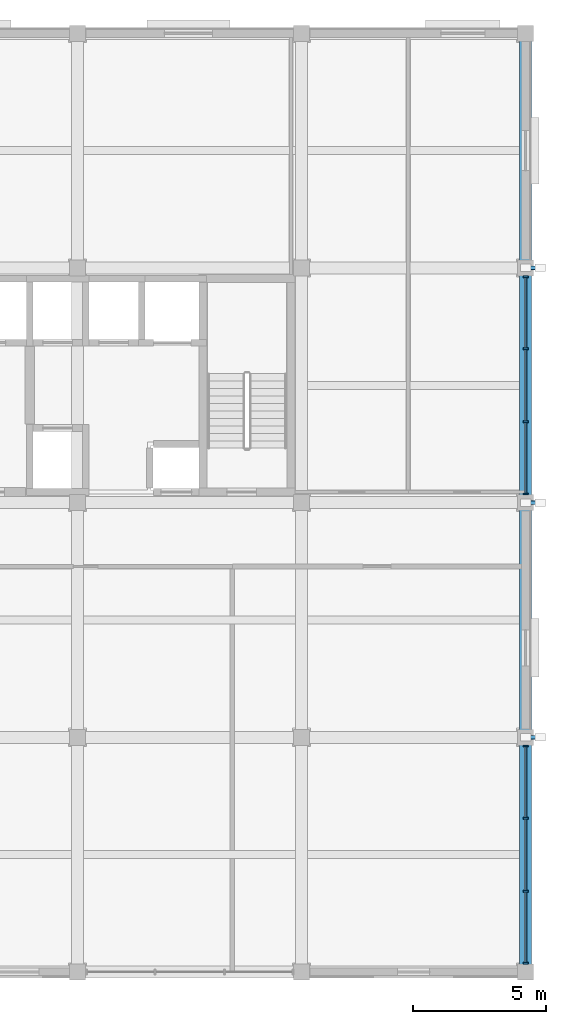
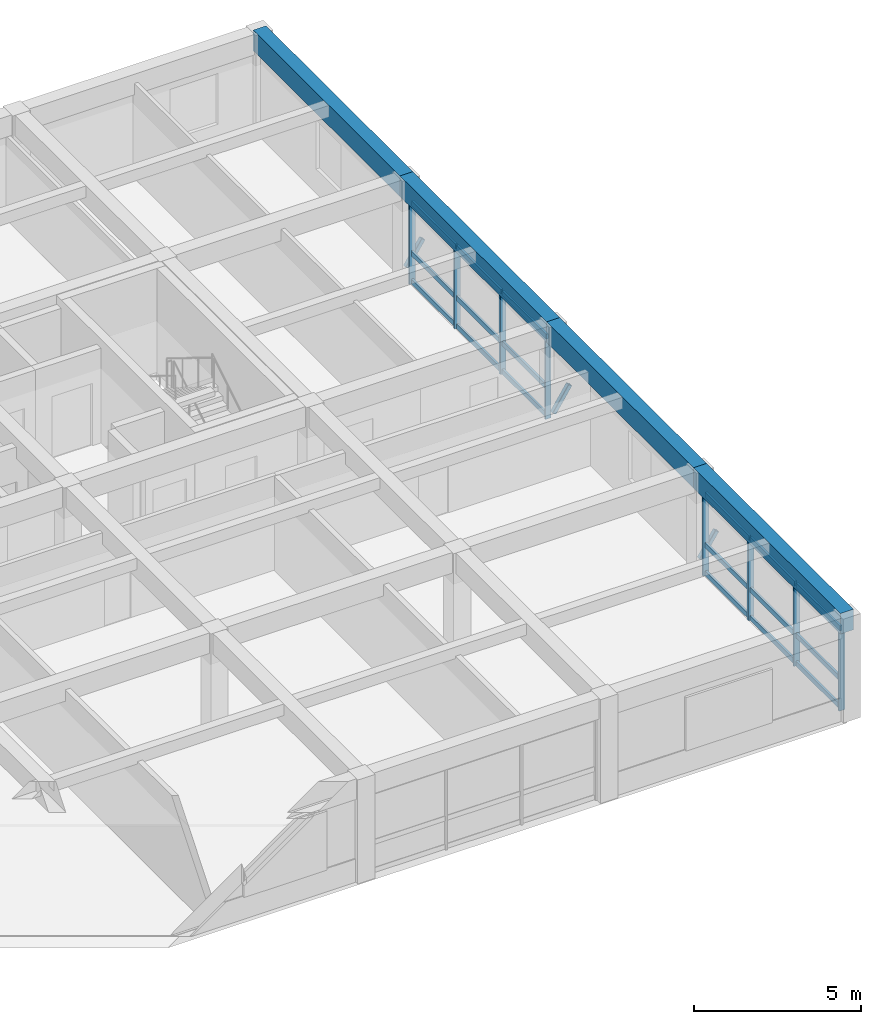
# One storey, part 4 of 12: 29 members, 4 beams, 2 elements without a shape of their own.
"""IFC4 building model written with IfcOpenShell, lengths in metres."""

from ifc_helpers import new_model, si_unit, direction, frame, origin, origin_2d, place, context, subcontext, project, spatial, rectangle, hollow_rectangle, extrude, material, material_profile, profile_set, type_object, element, aggregate, save


model = new_model("IFC4")

# Units and contexts
model_context = context("Model", 3, precision=1e-05, world=origin(), true_north=direction((0.0, 1.0)))
body_context = subcontext(model_context, "Body", "Model", "MODEL_VIEW")
ifc_project = project(units=[si_unit("LENGTHUNIT", "METRE"), si_unit("AREAUNIT", "SQUARE_METRE"), si_unit("VOLUMEUNIT", "CUBIC_METRE"), si_unit("PLANEANGLEUNIT", "RADIAN"), si_unit("MASSUNIT", "GRAM", prefix="KILO")], contexts=[model_context])

# Site, building, storey
site_placement = place(None, origin())
site = spatial("IfcSite", under=ifc_project, at=site_placement, CompositionType="ELEMENT")
building_placement = place(site_placement, origin())
building = spatial("IfcBuilding", under=site, at=building_placement, Name="Kemercrest Conservatory and Botanical Centre", CompositionType="ELEMENT")
storey_placement = place(building_placement, frame((0.0, 0.0, 52.199951171875)))
storey = spatial("IfcBuildingStorey", under=building, at=storey_placement, Name="L13", CompositionType="ELEMENT", Elevation=52.199951171875)

# Members
ifc_material_1 = material(Name="Steel CSA G40.21 350W", Category="steel")
ifc_material_profile_1 = material_profile(ifc_material_1, hollow_rectangle(XDim=0.15234375, YDim=0.15234375, WallThickness=0.009521484375, InnerFilletRadius=0.009521484375, OuterFilletRadius=0.01904296875, at=origin_2d()), Name="HSS 152x152x9.5")
ifc_profile_set_1 = profile_set([ifc_material_profile_1], Name="Steel CSA G40.21 350W")
member_type_1 = type_object("IfcMemberType", Name="BR-CUM152", PredefinedType="BRACE", material=ifc_profile_set_1)
for number, where, z_axis, x_axis, name in (
    (1, (176.0, 96.0, 0.400146484375), (0.543351270749, 0.0, 0.839505447615), (0.0, 1.0, 0.0), "Tower cumba projecting bay knee brace strut L13-1"),
    (2, (176.0, 104.800048828125, 0.400146484375), (0.543351270749, 0.0, 0.839505447615), (0.0, 1.0, 0.0), "Tower cumba projecting bay knee brace strut L13-2"),
    (3, (176.0, 113.60009765625, 0.400146484375), (0.543351270749, 0.0, 0.839505447615), (0.0, 1.0, 0.0), "Tower cumba projecting bay knee brace strut L13-3"),
):
    element("IfcMember", number, at=place(storey_placement, frame(where, z_axis=z_axis, x_axis=x_axis)), inside=storey, type_object=member_type_1, Name=name, PredefinedType="BRACE", context=body_context, shape_type="SweptSolid", body=[
        extrude(hollow_rectangle(XDim=0.15234375, YDim=0.15234375, WallThickness=0.009521484375, InnerFilletRadius=0.009521484375, OuterFilletRadius=0.01904296875, at=origin_2d()), origin(), (0.0, 0.0, 1.0), 1.01220703125),
    ])

# Curtain wall, members
ifc_material_2 = material(Name="Thermally broken aluminium and triple low-e glazing", Category="aluminium")
curtain_wall_type_1 = type_object("IfcCurtainWallType", Name="CW-16", PredefinedType="USERDEFINED", material=ifc_material_2)
curtain_wall_1_placement = place(storey_placement, origin())
curtain_wall_1 = element("IfcCurtainWall", 4, at=curtain_wall_1_placement, inside=storey, type_object=curtain_wall_type_1, Name="Unitised curtain wall CW-16 (CW:L13:V4-135)", ObjectType="UNITISED CURTAIN WALL", PredefinedType="USERDEFINED")
ifc_material_3 = material(Name="Thermally broken anodized aluminium 6063-T6", Category="aluminium")
ifc_material_profile_2 = material_profile(ifc_material_3, rectangle(XDim=0.199951171875, YDim=0.06494140625, at=origin_2d()), Name="AL MULLION 65x200")
ifc_profile_set_2 = profile_set([ifc_material_profile_2], Name="Thermally broken anodized aluminium 6063-T6")
member_type_2 = type_object("IfcMemberType", Name="CW-M200", PredefinedType="MULLION", material=ifc_profile_set_2)
member_1_placement = place(storey_placement, frame((176.0, 87.527587890625, 0.0), z_axis=(0.0, 0.0, 1.0), x_axis=(-1.0, 0.0, 0.0)))
member_1 = element("IfcMember", 5, at=member_1_placement, type_object=member_type_2, Name="CW-16 mullion 1", PredefinedType="MULLION", context=body_context, shape_type="SweptSolid", body=[
    extrude(rectangle(XDim=0.199951171875, YDim=0.06494140625, at=origin_2d()), origin(), (0.0, 0.0, 1.0), 3.054931640625),
])
member_2_placement = place(storey_placement, frame((176.0, 90.231689453125, 0.0), z_axis=(0.0, 0.0, 1.0), x_axis=(-1.0, 0.0, 0.0)))
member_2 = element("IfcMember", 6, at=member_2_placement, type_object=member_type_2, Name="CW-16 mullion 2", PredefinedType="MULLION", context=body_context, shape_type="SweptSolid", body=[
    extrude(rectangle(XDim=0.199951171875, YDim=0.06494140625, at=origin_2d()), origin(), (0.0, 0.0, 1.0), 3.054931640625),
])
member_3_placement = place(storey_placement, frame((176.0, 92.96826171875, 0.0), z_axis=(0.0, 0.0, 1.0), x_axis=(-1.0, 0.0, 0.0)))
member_3 = element("IfcMember", 7, at=member_3_placement, type_object=member_type_2, Name="CW-16 mullion 3", PredefinedType="MULLION", context=body_context, shape_type="SweptSolid", body=[
    extrude(rectangle(XDim=0.199951171875, YDim=0.06494140625, at=origin_2d()), origin(), (0.0, 0.0, 1.0), 3.054931640625),
])
member_4_placement = place(storey_placement, frame((176.0, 95.672607421875, 0.0), z_axis=(0.0, 0.0, 1.0), x_axis=(-1.0, 0.0, 0.0)))
member_4 = element("IfcMember", 8, at=member_4_placement, type_object=member_type_2, Name="CW-16 mullion 4", PredefinedType="MULLION", context=body_context, shape_type="SweptSolid", body=[
    extrude(rectangle(XDim=0.199951171875, YDim=0.06494140625, at=origin_2d()), origin(), (0.0, 0.0, 1.0), 3.054931640625),
])

curtain_wall_type_2 = type_object("IfcCurtainWallType", Name="CW-17", PredefinedType="USERDEFINED", material=ifc_material_2)
curtain_wall_2_placement = place(storey_placement, origin())
curtain_wall_2 = element("IfcCurtainWall", 9, at=curtain_wall_2_placement, inside=storey, type_object=curtain_wall_type_2, Name="Unitised curtain wall CW-17 (CW:L13:V4-136)", ObjectType="UNITISED CURTAIN WALL", PredefinedType="USERDEFINED")
member_5_placement = place(storey_placement, frame((176.0, 105.12744140625, 0.0), z_axis=(0.0, 0.0, 1.0), x_axis=(-1.0, 0.0, 0.0)))
member_5 = element("IfcMember", 10, at=member_5_placement, type_object=member_type_2, Name="CW-17 mullion 1", PredefinedType="MULLION", context=body_context, shape_type="SweptSolid", body=[
    extrude(rectangle(XDim=0.199951171875, YDim=0.06494140625, at=origin_2d()), origin(), (0.0, 0.0, 1.0), 3.054931640625),
])
member_6_placement = place(storey_placement, frame((176.0, 107.831787109375, 0.0), z_axis=(0.0, 0.0, 1.0), x_axis=(-1.0, 0.0, 0.0)))
member_6 = element("IfcMember", 11, at=member_6_placement, type_object=member_type_2, Name="CW-17 mullion 2", PredefinedType="MULLION", context=body_context, shape_type="SweptSolid", body=[
    extrude(rectangle(XDim=0.199951171875, YDim=0.06494140625, at=origin_2d()), origin(), (0.0, 0.0, 1.0), 3.054931640625),
])
member_7_placement = place(storey_placement, frame((176.0, 110.568359375, 0.0), z_axis=(0.0, 0.0, 1.0), x_axis=(-1.0, 0.0, 0.0)))
member_7 = element("IfcMember", 12, at=member_7_placement, type_object=member_type_2, Name="CW-17 mullion 3", PredefinedType="MULLION", context=body_context, shape_type="SweptSolid", body=[
    extrude(rectangle(XDim=0.199951171875, YDim=0.06494140625, at=origin_2d()), origin(), (0.0, 0.0, 1.0), 3.054931640625),
])
member_8_placement = place(storey_placement, frame((176.0, 113.2724609375, 0.0), z_axis=(0.0, 0.0, 1.0), x_axis=(-1.0, 0.0, 0.0)))
member_8 = element("IfcMember", 13, at=member_8_placement, type_object=member_type_2, Name="CW-17 mullion 4", PredefinedType="MULLION", context=body_context, shape_type="SweptSolid", body=[
    extrude(rectangle(XDim=0.199951171875, YDim=0.06494140625, at=origin_2d()), origin(), (0.0, 0.0, 1.0), 3.054931640625),
])

# Member
ifc_material_profile_3 = material_profile(ifc_material_3, rectangle(XDim=0.074951171875, YDim=0.179931640625, at=origin_2d()), Name="AL TRANSOM 75x180")
ifc_profile_set_3 = profile_set([ifc_material_profile_3], Name="Thermally broken anodized aluminium 6063-T6")
member_type_3 = type_object("IfcMemberType", Name="CW-T180", PredefinedType="USERDEFINED", material=ifc_profile_set_3)
member_9_placement = place(storey_placement, frame((176.0, 87.56005859375, 0.090087890625), z_axis=(0.0, 1.0, 0.0), x_axis=(-1.0, 0.0, 0.0)))
member_9 = element("IfcMember", 14, at=member_9_placement, type_object=member_type_3, Name="CW-16 transom 1.1", ObjectType="TRANSOM", PredefinedType="USERDEFINED", context=body_context, shape_type="SweptSolid", body=[
    extrude(rectangle(XDim=0.074951171875, YDim=0.179931640625, at=origin_2d()), origin(), (0.0, 0.0, 1.0), 2.63916015625),
])

member_10_placement = place(storey_placement, frame((176.0, 87.56005859375, 1.1201171875), z_axis=(0.0, 1.0, 0.0), x_axis=(-1.0, 0.0, 0.0)))
member_10 = element("IfcMember", 15, at=member_10_placement, type_object=member_type_3, Name="CW-16 transom 1.2", ObjectType="TRANSOM", PredefinedType="USERDEFINED", context=body_context, shape_type="SweptSolid", body=[
    extrude(rectangle(XDim=0.074951171875, YDim=0.179931640625, at=origin_2d()), origin(), (0.0, 0.0, 1.0), 2.63916015625),
])

member_11_placement = place(storey_placement, frame((176.0, 87.56005859375, 2.965087890625), z_axis=(0.0, 1.0, 0.0), x_axis=(-1.0, 0.0, 0.0)))
member_11 = element("IfcMember", 16, at=member_11_placement, type_object=member_type_3, Name="CW-16 transom 1.3", ObjectType="TRANSOM", PredefinedType="USERDEFINED", context=body_context, shape_type="SweptSolid", body=[
    extrude(rectangle(XDim=0.074951171875, YDim=0.179931640625, at=origin_2d()), origin(), (0.0, 0.0, 1.0), 2.63916015625),
])

member_12_placement = place(storey_placement, frame((176.0, 90.26416015625, 0.090087890625), z_axis=(0.0, 1.0, 0.0), x_axis=(-1.0, 0.0, 0.0)))
member_12 = element("IfcMember", 17, at=member_12_placement, type_object=member_type_3, Name="CW-16 transom 2.1", ObjectType="TRANSOM", PredefinedType="USERDEFINED", context=body_context, shape_type="SweptSolid", body=[
    extrude(rectangle(XDim=0.074951171875, YDim=0.179931640625, at=origin_2d()), origin(), (0.0, 0.0, 1.0), 2.671630859375),
])

member_13_placement = place(storey_placement, frame((176.0, 90.26416015625, 1.1201171875), z_axis=(0.0, 1.0, 0.0), x_axis=(-1.0, 0.0, 0.0)))
member_13 = element("IfcMember", 18, at=member_13_placement, type_object=member_type_3, Name="CW-16 transom 2.2", ObjectType="TRANSOM", PredefinedType="USERDEFINED", context=body_context, shape_type="SweptSolid", body=[
    extrude(rectangle(XDim=0.074951171875, YDim=0.179931640625, at=origin_2d()), origin(), (0.0, 0.0, 1.0), 2.671630859375),
])

member_14_placement = place(storey_placement, frame((176.0, 90.26416015625, 2.965087890625), z_axis=(0.0, 1.0, 0.0), x_axis=(-1.0, 0.0, 0.0)))
member_14 = element("IfcMember", 19, at=member_14_placement, type_object=member_type_3, Name="CW-16 transom 2.3", ObjectType="TRANSOM", PredefinedType="USERDEFINED", context=body_context, shape_type="SweptSolid", body=[
    extrude(rectangle(XDim=0.074951171875, YDim=0.179931640625, at=origin_2d()), origin(), (0.0, 0.0, 1.0), 2.671630859375),
])

member_15_placement = place(storey_placement, frame((176.0, 93.000732421875, 0.090087890625), z_axis=(0.0, 1.0, 0.0), x_axis=(-1.0, 0.0, 0.0)))
member_15 = element("IfcMember", 20, at=member_15_placement, type_object=member_type_3, Name="CW-16 transom 3.1", ObjectType="TRANSOM", PredefinedType="USERDEFINED", context=body_context, shape_type="SweptSolid", body=[
    extrude(rectangle(XDim=0.074951171875, YDim=0.179931640625, at=origin_2d()), origin(), (0.0, 0.0, 1.0), 2.63916015625),
])

member_16_placement = place(storey_placement, frame((176.0, 93.000732421875, 1.1201171875), z_axis=(0.0, 1.0, 0.0), x_axis=(-1.0, 0.0, 0.0)))
member_16 = element("IfcMember", 21, at=member_16_placement, type_object=member_type_3, Name="CW-16 transom 3.2", ObjectType="TRANSOM", PredefinedType="USERDEFINED", context=body_context, shape_type="SweptSolid", body=[
    extrude(rectangle(XDim=0.074951171875, YDim=0.179931640625, at=origin_2d()), origin(), (0.0, 0.0, 1.0), 2.63916015625),
])

member_17_placement = place(storey_placement, frame((176.0, 93.000732421875, 2.965087890625), z_axis=(0.0, 1.0, 0.0), x_axis=(-1.0, 0.0, 0.0)))
member_17 = element("IfcMember", 22, at=member_17_placement, type_object=member_type_3, Name="CW-16 transom 3.3", ObjectType="TRANSOM", PredefinedType="USERDEFINED", context=body_context, shape_type="SweptSolid", body=[
    extrude(rectangle(XDim=0.074951171875, YDim=0.179931640625, at=origin_2d()), origin(), (0.0, 0.0, 1.0), 2.63916015625),
])

aggregate(curtain_wall_1, [member_1, member_2, member_3, member_4, member_9, member_10, member_11, member_12, member_13, member_14, member_15, member_16, member_17])

member_18_placement = place(storey_placement, frame((176.0, 105.159912109375, 0.090087890625), z_axis=(0.0, 1.0, 0.0), x_axis=(-1.0, 0.0, 0.0)))
member_18 = element("IfcMember", 23, at=member_18_placement, type_object=member_type_3, Name="CW-17 transom 1.1", ObjectType="TRANSOM", PredefinedType="USERDEFINED", context=body_context, shape_type="SweptSolid", body=[
    extrude(rectangle(XDim=0.074951171875, YDim=0.179931640625, at=origin_2d()), origin(), (0.0, 0.0, 1.0), 2.63916015625),
])

member_19_placement = place(storey_placement, frame((176.0, 105.159912109375, 1.1201171875), z_axis=(0.0, 1.0, 0.0), x_axis=(-1.0, 0.0, 0.0)))
member_19 = element("IfcMember", 24, at=member_19_placement, type_object=member_type_3, Name="CW-17 transom 1.2", ObjectType="TRANSOM", PredefinedType="USERDEFINED", context=body_context, shape_type="SweptSolid", body=[
    extrude(rectangle(XDim=0.074951171875, YDim=0.179931640625, at=origin_2d()), origin(), (0.0, 0.0, 1.0), 2.63916015625),
])

member_20_placement = place(storey_placement, frame((176.0, 105.159912109375, 2.965087890625), z_axis=(0.0, 1.0, 0.0), x_axis=(-1.0, 0.0, 0.0)))
member_20 = element("IfcMember", 25, at=member_20_placement, type_object=member_type_3, Name="CW-17 transom 1.3", ObjectType="TRANSOM", PredefinedType="USERDEFINED", context=body_context, shape_type="SweptSolid", body=[
    extrude(rectangle(XDim=0.074951171875, YDim=0.179931640625, at=origin_2d()), origin(), (0.0, 0.0, 1.0), 2.63916015625),
])

member_21_placement = place(storey_placement, frame((176.0, 107.8642578125, 0.090087890625), z_axis=(0.0, 1.0, 0.0), x_axis=(-1.0, 0.0, 0.0)))
member_21 = element("IfcMember", 26, at=member_21_placement, type_object=member_type_3, Name="CW-17 transom 2.1", ObjectType="TRANSOM", PredefinedType="USERDEFINED", context=body_context, shape_type="SweptSolid", body=[
    extrude(rectangle(XDim=0.074951171875, YDim=0.179931640625, at=origin_2d()), origin(), (0.0, 0.0, 1.0), 2.671630859375),
])

member_22_placement = place(storey_placement, frame((176.0, 107.8642578125, 1.1201171875), z_axis=(0.0, 1.0, 0.0), x_axis=(-1.0, 0.0, 0.0)))
member_22 = element("IfcMember", 27, at=member_22_placement, type_object=member_type_3, Name="CW-17 transom 2.2", ObjectType="TRANSOM", PredefinedType="USERDEFINED", context=body_context, shape_type="SweptSolid", body=[
    extrude(rectangle(XDim=0.074951171875, YDim=0.179931640625, at=origin_2d()), origin(), (0.0, 0.0, 1.0), 2.671630859375),
])

member_23_placement = place(storey_placement, frame((176.0, 107.8642578125, 2.965087890625), z_axis=(0.0, 1.0, 0.0), x_axis=(-1.0, 0.0, 0.0)))
member_23 = element("IfcMember", 28, at=member_23_placement, type_object=member_type_3, Name="CW-17 transom 2.3", ObjectType="TRANSOM", PredefinedType="USERDEFINED", context=body_context, shape_type="SweptSolid", body=[
    extrude(rectangle(XDim=0.074951171875, YDim=0.179931640625, at=origin_2d()), origin(), (0.0, 0.0, 1.0), 2.671630859375),
])

member_24_placement = place(storey_placement, frame((176.0, 110.600830078125, 0.090087890625), z_axis=(0.0, 1.0, 0.0), x_axis=(-1.0, 0.0, 0.0)))
member_24 = element("IfcMember", 29, at=member_24_placement, type_object=member_type_3, Name="CW-17 transom 3.1", ObjectType="TRANSOM", PredefinedType="USERDEFINED", context=body_context, shape_type="SweptSolid", body=[
    extrude(rectangle(XDim=0.074951171875, YDim=0.179931640625, at=origin_2d()), origin(), (0.0, 0.0, 1.0), 2.63916015625),
])

member_25_placement = place(storey_placement, frame((176.0, 110.600830078125, 1.1201171875), z_axis=(0.0, 1.0, 0.0), x_axis=(-1.0, 0.0, 0.0)))
member_25 = element("IfcMember", 30, at=member_25_placement, type_object=member_type_3, Name="CW-17 transom 3.2", ObjectType="TRANSOM", PredefinedType="USERDEFINED", context=body_context, shape_type="SweptSolid", body=[
    extrude(rectangle(XDim=0.074951171875, YDim=0.179931640625, at=origin_2d()), origin(), (0.0, 0.0, 1.0), 2.63916015625),
])

member_26_placement = place(storey_placement, frame((176.0, 110.600830078125, 2.965087890625), z_axis=(0.0, 1.0, 0.0), x_axis=(-1.0, 0.0, 0.0)))
member_26 = element("IfcMember", 31, at=member_26_placement, type_object=member_type_3, Name="CW-17 transom 3.3", ObjectType="TRANSOM", PredefinedType="USERDEFINED", context=body_context, shape_type="SweptSolid", body=[
    extrude(rectangle(XDim=0.074951171875, YDim=0.179931640625, at=origin_2d()), origin(), (0.0, 0.0, 1.0), 2.63916015625),
])

aggregate(curtain_wall_2, [member_5, member_6, member_7, member_8, member_18, member_19, member_20, member_21, member_22, member_23, member_24, member_25, member_26])

# Beams
ifc_material_4 = material(Name="Concrete C40/50", Category="concrete")
ifc_material_profile_4 = material_profile(ifc_material_4, rectangle(XDim=0.449951171875, YDim=0.75, at=origin_2d()), Name="RC 450x750")
ifc_profile_set_4 = profile_set([ifc_material_profile_4], Name="Concrete C40/50")
beam_type = type_object("IfcBeamType", Name="SP-RC75", PredefinedType="SPANDREL", material=ifc_profile_set_4)
for number, where, z_axis, x_axis, name in (
    (32, (176.0, 87.199951171875, 3.425048828125), (0.0, 1.0, 0.0), (-1.0, 0.0, 0.0), "V4-L14 beam SP-RC75 21/K-L"),
    (33, (176.0, 96.0, 3.425048828125), (0.0, 1.0, 0.0), (-1.0, 0.0, 0.0), "V4-L14 beam SP-RC75 21/L-M"),
    (34, (176.0, 104.800048828125, 3.425048828125), (0.0, 1.0, 0.0), (-1.0, 0.0, 0.0), "V4-L14 beam SP-RC75 21/M-N"),
):
    element("IfcBeam", number, at=place(storey_placement, frame(where, z_axis=z_axis, x_axis=x_axis)), inside=storey, type_object=beam_type, Name=name, PredefinedType="SPANDREL", context=body_context, shape_type="SweptSolid", body=[
        extrude(rectangle(XDim=0.449951171875, YDim=0.75, at=origin_2d()), origin(), (0.0, 0.0, 1.0), 8.800048828125),
    ])
beam_placement = place(storey_placement, frame((176.0, 113.60009765625, 3.425048828125), z_axis=(0.0, 1.0, 0.0), x_axis=(-1.0, 0.0, 0.0)))
element("IfcBeam", 35, at=beam_placement, inside=storey, type_object=beam_type, Name="V4-L14 beam SP-RC75 21/N-P", PredefinedType="SPANDREL", context=body_context, shape_type="SweptSolid", body=[
    extrude(rectangle(XDim=0.449951171875, YDim=0.75, at=origin_2d()), origin(), (0.0, 0.0, 1.0), 8.7998046875),
])

save(model, "model.ifc")
